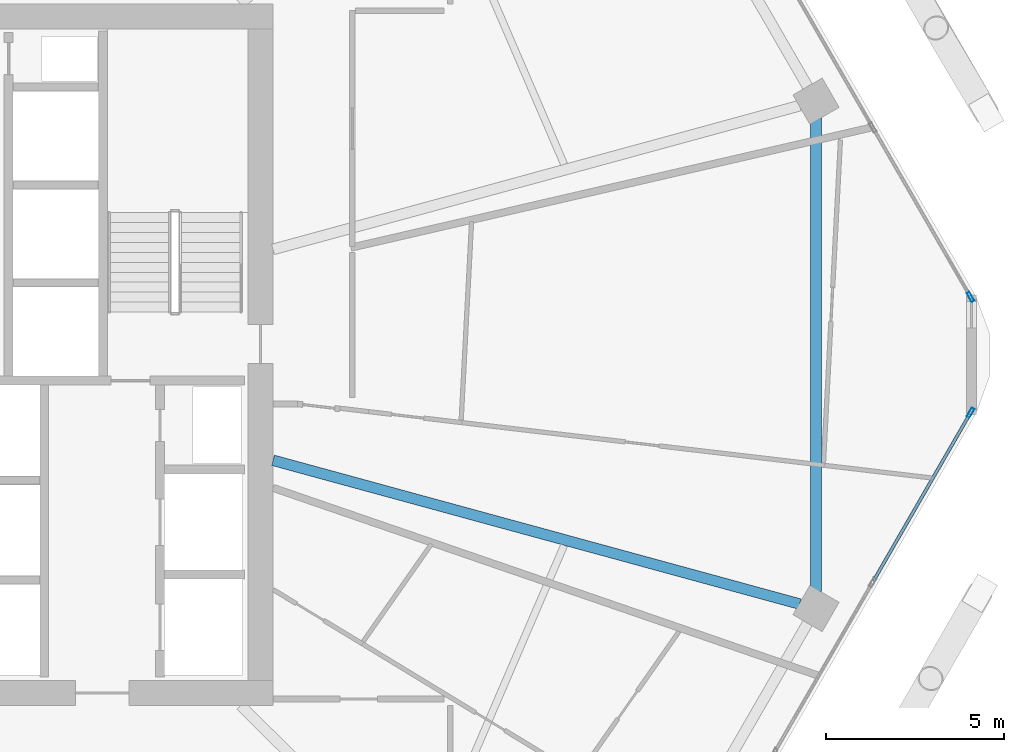
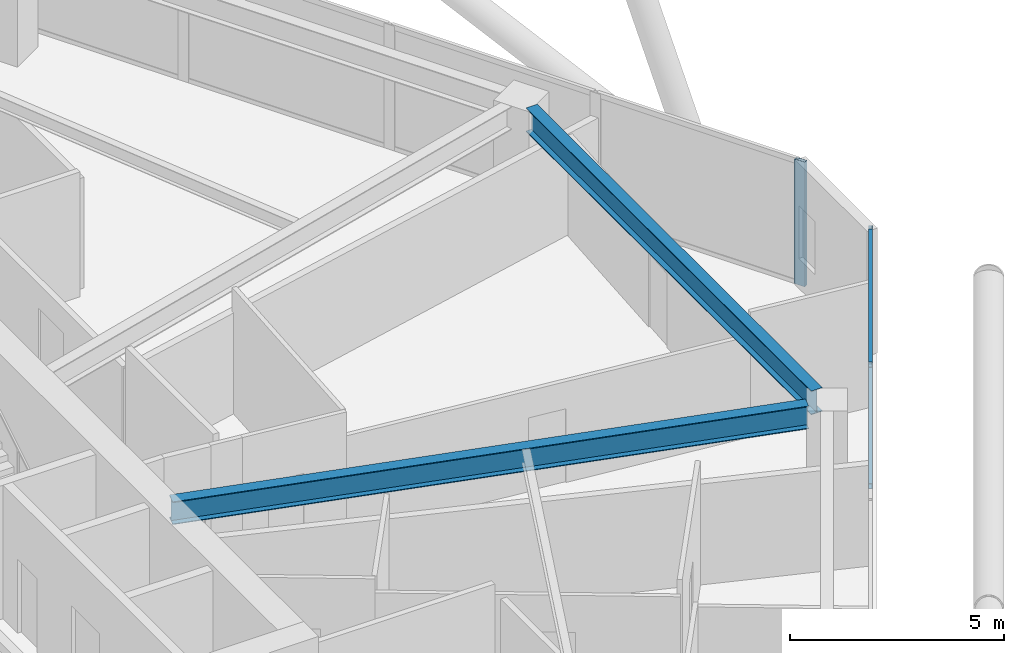
# One storey, part 9 of 28: 4 members, 2 beams, 2 elements without a shape of their own.
"""IFC4 building model written with IfcOpenShell, lengths in metres."""

from ifc_helpers import new_model, si_unit, direction, frame, origin, origin_2d, place, context, subcontext, project, spatial, hollow_rectangle, i_section, extrude, material, material_profile, profile_set, type_object, element, aggregate, save


model = new_model("IFC4")

# Units and contexts
model_context = context("Model", 3, precision=1e-05, world=origin(), true_north=direction((0.0, 1.0)))
body_context = subcontext(model_context, "Body", "Model", "MODEL_VIEW")
ifc_project = project(units=[si_unit("LENGTHUNIT", "METRE"), si_unit("AREAUNIT", "SQUARE_METRE"), si_unit("VOLUMEUNIT", "CUBIC_METRE"), si_unit("PLANEANGLEUNIT", "RADIAN"), si_unit("MASSUNIT", "GRAM", prefix="KILO")], contexts=[model_context])

# Site, building, storey
site_placement = place(None, origin())
site = spatial("IfcSite", under=ifc_project, at=site_placement, CompositionType="ELEMENT")
building_placement = place(site_placement, origin())
building = spatial("IfcBuilding", under=site, at=building_placement, Name="Zuhravey Tower", CompositionType="ELEMENT")
storey_placement = place(building_placement, frame((0.0, 0.0, 207.39990234375)))
storey = spatial("IfcBuildingStorey", under=building, at=storey_placement, Name="L52", CompositionType="ELEMENT", Elevation=207.39990234375)

# Curtain wall, member
ifc_material_1 = material(Name="Thermally broken anodised aluminium", Category="aluminium")
curtain_wall_type = type_object("IfcCurtainWallType", Name="Zone 1-2 Residential Curtain Wall CW3", PredefinedType="NOTDEFINED", material=ifc_material_1)
curtain_wall_1_placement = place(storey_placement, origin())
curtain_wall_1 = element("IfcCurtainWall", 1, at=curtain_wall_1_placement, inside=storey, type_object=curtain_wall_type, Name="L52 CW3 CW-L52-F6-1", PredefinedType="NOTDEFINED")
ifc_material_2 = material(Name="Anodised aluminium", Category="aluminium")
ifc_material_profile_1 = material_profile(ifc_material_2, hollow_rectangle(XDim=0.090087890625, YDim=0.284912109375, WallThickness=0.0048828125, at=origin_2d()), Name="ALU-RHS-90x285x5")
ifc_profile_set_1 = profile_set([ifc_material_profile_1], Name="Anodised aluminium")
member_type_1 = type_object("IfcMemberType", Name="Curtain-Wall Mullion 90x180", PredefinedType="MULLION", material=ifc_profile_set_1)
member_1_placement = place(storey_placement, frame((66.44921875, 30.37353515625, 0.0), z_axis=(0.0, 0.0, 1.0), x_axis=(0.866025138215, -0.500000459979, 0.0)))
member_1 = element("IfcMember", 2, at=member_1_placement, type_object=member_type_1, Name="CW3 mullion 1", PredefinedType="MULLION", context=body_context, shape_type="SweptSolid", body=[
    extrude(hollow_rectangle(XDim=0.090087890625, YDim=0.284912109375, WallThickness=0.0048828125, at=origin_2d()), origin(), (0.0, 0.0, 1.0), 3.550048828125),
])

curtain_wall_2_placement = place(storey_placement, origin())
curtain_wall_2 = element("IfcCurtainWall", 3, at=curtain_wall_2_placement, inside=storey, type_object=curtain_wall_type, Name="L52 CW3 CW-L52-F1-1", PredefinedType="NOTDEFINED")
member_2_placement = place(storey_placement, frame((66.44921875, 33.62646484375, 0.0), z_axis=(0.0, 0.0, 1.0), x_axis=(0.866025138215, 0.500000459979, 0.0)))
member_2 = element("IfcMember", 4, at=member_2_placement, type_object=member_type_1, Name="CW3 mullion 6", PredefinedType="MULLION", context=body_context, shape_type="SweptSolid", body=[
    extrude(hollow_rectangle(XDim=0.090087890625, YDim=0.284912109375, WallThickness=0.0048828125, at=origin_2d()), origin(), (0.0, 0.0, 1.0), 3.550048828125),
])
aggregate(curtain_wall_2, [member_2])

# Member
ifc_material_profile_2 = material_profile(ifc_material_2, hollow_rectangle(XDim=0.090087890625, YDim=0.14990234375, WallThickness=0.0048828125, at=origin_2d()), Name="ALU-RHS-90x150x5")
ifc_profile_set_2 = profile_set([ifc_material_profile_2], Name="Anodised aluminium")
member_type_2 = type_object("IfcMemberType", Name="Curtain-Wall Transom 90x150", PredefinedType="USERDEFINED", material=ifc_profile_set_2)
member_3_placement = place(storey_placement, frame((66.4267578125, 30.33447265625, 0.045166015625), z_axis=(-0.499993332629, -0.866029253159, 0.0), x_axis=(0.866029253159, -0.499993332629, 0.0)))
member_3 = element("IfcMember", 5, at=member_3_placement, type_object=member_type_2, Name="CW3 transom 1.1", ObjectType="TRANSOM", PredefinedType="USERDEFINED", context=body_context, shape_type="SweptSolid", body=[
    extrude(hollow_rectangle(XDim=0.090087890625, YDim=0.14990234375, WallThickness=0.0048828125, at=origin_2d()), origin(), (0.0, 0.0, 1.0), 5.4091796875),
])

member_4_placement = place(storey_placement, frame((66.4267578125, 30.33447265625, 3.505126953125), z_axis=(-0.499993332629, -0.866029253159, 0.0), x_axis=(0.866029253159, -0.499993332629, 0.0)))
member_4 = element("IfcMember", 6, at=member_4_placement, type_object=member_type_2, Name="CW3 transom 1.2", ObjectType="TRANSOM", PredefinedType="USERDEFINED", context=body_context, shape_type="SweptSolid", body=[
    extrude(hollow_rectangle(XDim=0.090087890625, YDim=0.14990234375, WallThickness=0.0048828125, at=origin_2d()), origin(), (0.0, 0.0, 1.0), 5.4091796875),
])

aggregate(curtain_wall_1, [member_1, member_3, member_4])

# Beams
ifc_material_3 = material(Name="Steel SM355", Category="steel")
ifc_material_profile_3 = material_profile(ifc_material_3, i_section(OverallWidth=0.300048828125, OverallDepth=0.679931640625, WebThickness=0.012939453125, FlangeThickness=0.02197265625, at=origin_2d()), Name="H-680x300x13x22")
ifc_profile_set_3 = profile_set([ifc_material_profile_3], Name="Steel SM355")
beam_type_1 = type_object("IfcBeamType", Name="Perimeter Ring Beam H680x300", PredefinedType="BEAM", material=ifc_profile_set_3)
beam_1_placement = place(storey_placement, frame((62.107666015625, 25.3515625, 3.210205078125), z_axis=(0.0, 1.0, 0.0), x_axis=(-1.0, 0.0, 0.0)))
element("IfcBeam", 7, at=beam_1_placement, inside=storey, type_object=beam_type_1, Name="L52 PB2 BM-L52-PB-12", PredefinedType="BEAM", context=body_context, shape_type="SweptSolid", body=[
    extrude(i_section(OverallWidth=0.300048828125, OverallDepth=0.679931640625, WebThickness=0.012939453125, FlangeThickness=0.02197265625, at=origin_2d()), origin(), (0.0, 0.0, 1.0), 13.296875),
])
ifc_material_profile_4 = material_profile(ifc_material_3, i_section(OverallWidth=0.300048828125, OverallDepth=0.64990234375, WebThickness=0.012939453125, FlangeThickness=0.02197265625, at=origin_2d()), Name="H-650x300x13x22")
ifc_profile_set_4 = profile_set([ifc_material_profile_4], Name="Steel SM355")
beam_type_2 = type_object("IfcBeamType", Name="Radial Primary Girder H650x300", PredefinedType="BEAM", material=ifc_profile_set_4)
beam_2_placement = place(storey_placement, frame((46.85302734375, 29.03759765625, 3.22509765625), z_axis=(0.964701703464, -0.263345065139, 0.0), x_axis=(0.263345065139, 0.964701703464, 0.0)))
element("IfcBeam", 8, at=beam_2_placement, inside=storey, type_object=beam_type_2, Name="L52 RG2 BM-L52-RAD-12", PredefinedType="BEAM", context=body_context, shape_type="SweptSolid", body=[
    extrude(i_section(OverallWidth=0.300048828125, OverallDepth=0.64990234375, WebThickness=0.012939453125, FlangeThickness=0.02197265625, at=origin_2d()), origin(), (0.0, 0.0, 1.0), 15.334716796875),
])

save(model, "model.ifc")
